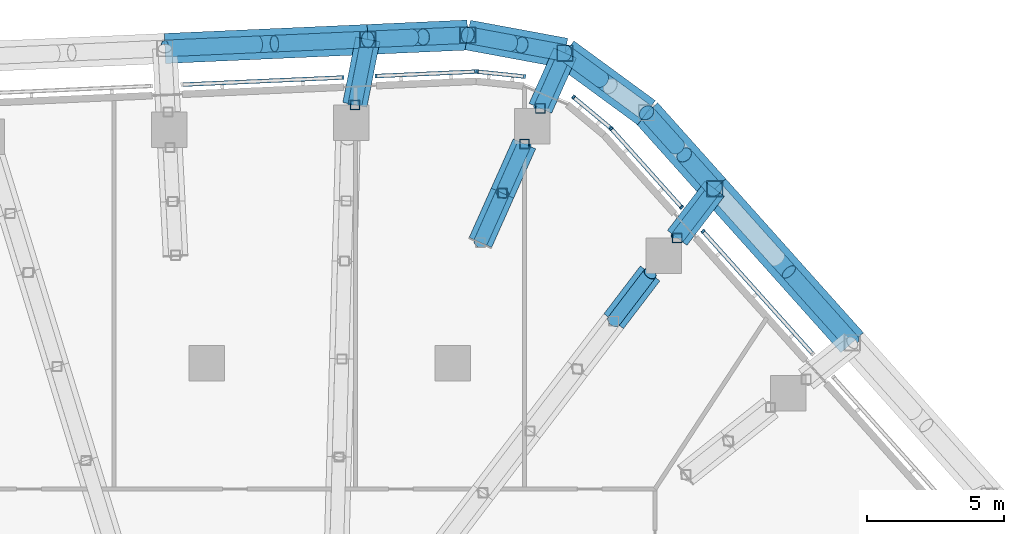
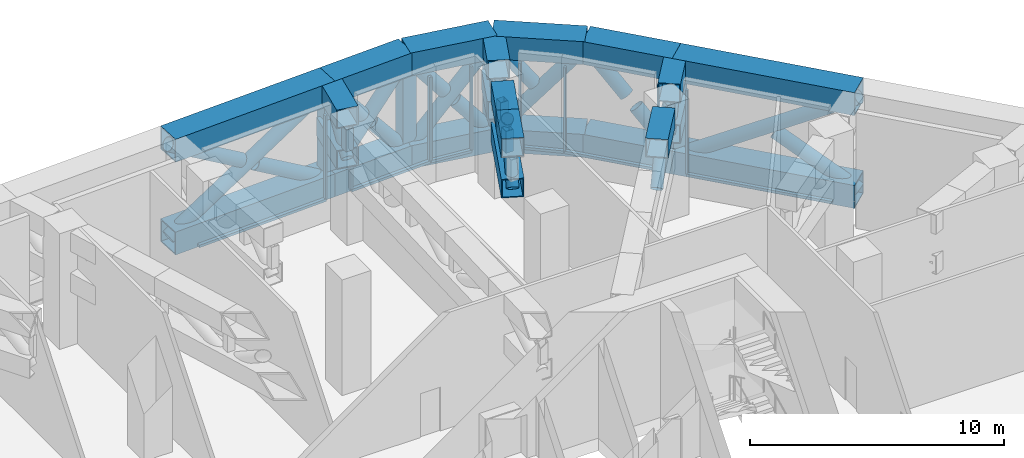
# One storey, part 13 of 30: 67 members, 3 elements without a shape of their own.
"""IFC4 building model written with IfcOpenShell, lengths in metres."""

from ifc_helpers import new_model, si_unit, direction, frame, origin, origin_2d, place, context, subcontext, project, spatial, rectangle, hollow_rectangle, hollow_circle, extrude, material, layer, layer_set, material_profile, profile_set, type_object, element, aggregate, save


model = new_model("IFC4")

# Units and contexts
model_context = context("Model", 3, precision=1e-05, world=origin(), true_north=direction((0.0, 1.0)))
body_context = subcontext(model_context, "Body", "Model", "MODEL_VIEW")
ifc_project = project(units=[si_unit("LENGTHUNIT", "METRE"), si_unit("AREAUNIT", "SQUARE_METRE"), si_unit("VOLUMEUNIT", "CUBIC_METRE"), si_unit("PLANEANGLEUNIT", "RADIAN"), si_unit("MASSUNIT", "GRAM", prefix="KILO")], contexts=[model_context])

# Site, building, storey
site_placement = place(None, origin())
site = spatial("IfcSite", under=ifc_project, at=site_placement, CompositionType="ELEMENT")
building_placement = place(site_placement, origin())
building = spatial("IfcBuilding", under=site, at=building_placement, Name="Dongbaek Canopy Tower", CompositionType="ELEMENT")
storey_placement = place(building_placement, frame((0.0, 0.0, 145.60009765625)))
storey = spatial("IfcBuildingStorey", under=building, at=storey_placement, Name="L32", CompositionType="ELEMENT", Elevation=145.60009765625)

# Members
ifc_material_1 = material(Name="Steel S355", Category="steel")
ifc_material_profile_1 = material_profile(ifc_material_1, hollow_circle(Radius=0.304931640625, WallThickness=0.01611328125, at=origin_2d()), Name="BELT BRACE CHS 610.0x16.0 Steel S355")
ifc_profile_set_1 = profile_set([ifc_material_profile_1], Name="Steel S355")
member_type_1 = type_object("IfcMemberType", Name="BELT BRACE CHS 610.0x16.0 Steel S355", PredefinedType="BRACE", material=ifc_profile_set_1)
member_1_placement = place(storey_placement, frame((-1.525390625, 29.512939453125, 0.5498046875), z_axis=(0.857020896199, 0.038058493746, 0.513874239997), x_axis=(-0.044364171853, 0.999015425434, 0.0)))
element("IfcMember", 1, at=member_1_placement, inside=storey, type_object=member_type_1, Name="BELT:L32:15:D0:0", PredefinedType="BRACE", context=body_context, shape_type="SweptSolid", body=[
    extrude(hollow_circle(Radius=0.304931640625, WallThickness=0.01611328125, at=origin_2d()), origin(), (0.0, 0.0, 1.0), 8.66015625),
])
for number, where, z_axis, x_axis, name in (
    (2, (5.896484375, 29.842529296875, 0.5498046875), (-0.857023211312, -0.03805315417, 0.51387077435), (0.044357840254, -0.999015706587, 0.0), "BELT:L32:15:D0:1"),
    (3, (-1.525390625, 29.512939453125, 5.0), (0.857023211312, 0.03805315417, -0.51387077435), (-0.044357840254, 0.999015706587, 0.0), "BELT:L32:15:D0:2"),
):
    element("IfcMember", number, at=place(storey_placement, frame(where, z_axis=z_axis, x_axis=x_axis)), inside=storey, type_object=member_type_1, Name=name, PredefinedType="BRACE", context=body_context, shape_type="SweptSolid", body=[
        extrude(hollow_circle(Radius=0.304931640625, WallThickness=0.01611328125, at=origin_2d()), origin(), (0.0, 0.0, 1.0), 3.984130859375),
    ])
member_2_placement = place(storey_placement, frame((5.896484375, 29.842529296875, 0.5498046875), z_axis=(0.634436715681, 0.028181178006, 0.772460921343), x_axis=(-0.044375454191, 0.999014924346, 0.0)))
element("IfcMember", 4, at=member_2_placement, inside=storey, type_object=member_type_1, Name="BELT:L32:16:D0:0", PredefinedType="BRACE", context=body_context, shape_type="SweptSolid", body=[
    extrude(hollow_circle(Radius=0.304931640625, WallThickness=0.01611328125, at=origin_2d()), origin(), (0.0, 0.0, 1.0), 5.760986328125),
])
member_3_placement = place(storey_placement, frame((9.551513671875, 30.0048828125, 0.5498046875), z_axis=(-0.634372879127, -0.028122565856, 0.772515483028), x_axis=(0.04428778929, -0.999018814497, 0.0)))
element("IfcMember", 5, at=member_3_placement, inside=storey, type_object=member_type_1, Name="BELT:L32:16:D0:1", PredefinedType="BRACE", context=body_context, shape_type="SweptSolid", body=[
    extrude(hollow_circle(Radius=0.304931640625, WallThickness=0.01611328125, at=origin_2d()), origin(), (0.0, 0.0, 1.0), 2.569580078125),
])
member_4_placement = place(storey_placement, frame((5.896484375, 29.842529296875, 5.0), z_axis=(0.634427950647, 0.028215798344, -0.772466856351), x_axis=(-0.044430474128, 0.999012478885, 0.0)))
element("IfcMember", 6, at=member_4_placement, inside=storey, type_object=member_type_1, Name="BELT:L32:16:D0:2", PredefinedType="BRACE", context=body_context, shape_type="SweptSolid", body=[
    extrude(hollow_circle(Radius=0.304931640625, WallThickness=0.01611328125, at=origin_2d()), origin(), (0.0, 0.0, 1.0), 2.56982421875),
])
member_5_placement = place(storey_placement, frame((9.551513671875, 30.0048828125, 0.5498046875), z_axis=(0.620407346683, -0.115041576325, 0.775796468089), x_axis=(0.182321130484, 0.983239037762, 0.0)))
element("IfcMember", 7, at=member_5_placement, inside=storey, type_object=member_type_1, Name="BELT:L32:16:D1:0", PredefinedType="BRACE", context=body_context, shape_type="SweptSolid", body=[
    extrude(hollow_circle(Radius=0.304931640625, WallThickness=0.01611328125, at=origin_2d()), origin(), (0.0, 0.0, 1.0), 5.736328125),
])
for number, where, z_axis, x_axis, name in (
    (8, (13.1103515625, 29.344970703125, 0.5498046875), (-0.620417406311, 0.115068950994, 0.775784363379), (-0.182360213446, -0.98323178984, 0.0), "BELT:L32:16:D1:1"),
    (9, (9.551513671875, 30.0048828125, 5.0), (0.620417406311, -0.115068950994, -0.775784363379), (0.182360213446, 0.98323178984, 0.0), "BELT:L32:16:D1:2"),
):
    element("IfcMember", number, at=place(storey_placement, frame(where, z_axis=z_axis, x_axis=x_axis)), inside=storey, type_object=member_type_1, Name=name, PredefinedType="BRACE", context=body_context, shape_type="SweptSolid", body=[
        extrude(hollow_circle(Radius=0.304931640625, WallThickness=0.01611328125, at=origin_2d()), origin(), (0.0, 0.0, 1.0), 2.556640625),
    ])
member_6_placement = place(storey_placement, frame((13.1103515625, 29.344970703125, 0.5498046875), z_axis=(0.515290656229, -0.377381704488, 0.769453435057), x_axis=(0.590856400859, 0.806776743321, 0.0)))
element("IfcMember", 10, at=member_6_placement, inside=storey, type_object=member_type_1, Name="BELT:L32:17:D0:0", PredefinedType="BRACE", context=body_context, shape_type="SweptSolid", body=[
    extrude(hollow_circle(Radius=0.304931640625, WallThickness=0.01611328125, at=origin_2d()), origin(), (0.0, 0.0, 1.0), 5.78369140625),
])
member_7_placement = place(storey_placement, frame((13.1103515625, 29.344970703125, 5.0), z_axis=(0.515258691217, -0.377364570109, -0.769483243711), x_axis=(0.590862796666, 0.806772059207, 0.0)))
element("IfcMember", 11, at=member_7_placement, inside=storey, type_object=member_type_1, Name="BELT:L32:17:D0:2", PredefinedType="BRACE", context=body_context, shape_type="SweptSolid", body=[
    extrude(hollow_circle(Radius=0.304931640625, WallThickness=0.01611328125, at=origin_2d()), origin(), (0.0, 0.0, 1.0), 2.581298828125),
])
for number, where, z_axis, x_axis, name in (
    (12, (18.58056640625, 24.37890625, 0.5498046875), (-0.428615283301, 0.479134687852, 0.76597577626), (-0.745306374709, -0.666722136889, 0.0), "BELT:L32:17:D1:1"),
    (13, (16.090576171875, 27.162353515625, 5.0), (0.428615283301, -0.479134687852, -0.76597577626), (0.745306374709, 0.666722136889, 0.0), "BELT:L32:17:D1:2"),
):
    element("IfcMember", number, at=place(storey_placement, frame(where, z_axis=z_axis, x_axis=x_axis)), inside=storey, type_object=member_type_1, Name=name, PredefinedType="BRACE", context=body_context, shape_type="SweptSolid", body=[
        extrude(hollow_circle(Radius=0.304931640625, WallThickness=0.01611328125, at=origin_2d()), origin(), (0.0, 0.0, 1.0), 2.59521484375),
    ])
member_8_placement = place(storey_placement, frame((18.58056640625, 24.37890625, 0.5498046875), z_axis=(0.574360264037, -0.642081177893, 0.507781496405), x_axis=(0.745318268841, 0.666708840599, 0.0)))
element("IfcMember", 14, at=member_8_placement, inside=storey, type_object=member_type_1, Name="BELT:L32:18:D0:0", PredefinedType="BRACE", context=body_context, shape_type="SweptSolid", body=[
    extrude(hollow_circle(Radius=0.304931640625, WallThickness=0.01611328125, at=origin_2d()), origin(), (0.0, 0.0, 1.0), 8.763916015625),
])
member_9_placement = place(storey_placement, frame((23.6142578125, 18.751708984375, 0.5498046875), z_axis=(-0.574379424123, 0.64205317227, 0.507795235427), x_axis=(-0.745292766348, -0.666737348909, 0.0)))
element("IfcMember", 15, at=member_9_placement, inside=storey, type_object=member_type_1, Name="BELT:L32:18:D0:1", PredefinedType="BRACE", context=body_context, shape_type="SweptSolid", body=[
    extrude(hollow_circle(Radius=0.304931640625, WallThickness=0.01611328125, at=origin_2d()), origin(), (0.0, 0.0, 1.0), 4.033203125),
])
ifc_material_2 = material(Name="Steel S355", Category="steel")
ifc_material_profile_2 = material_profile(ifc_material_2, hollow_rectangle(XDim=1.10009765625, YDim=1.10009765625, WallThickness=0.054931640625, at=origin_2d()), Name="BELT CHORD BOX 1100x1100x55 Steel S355")
ifc_profile_set_2 = profile_set([ifc_material_profile_2], Name="Steel S355")
member_type_2 = type_object("IfcMemberType", Name="BELT CHORD BOX 1100x1100x55 Steel S355", PredefinedType="CHORD", material=ifc_profile_set_2)
for number, where, z_axis, x_axis, name in (
    (16, (-1.525390625, 29.512939453125, 0.5498046875), (0.999015425434, 0.044364171853, 0.0), (-0.044364171853, 0.999015425434, 0.0), "BELT:L32:15:CB0"),
    (17, (-1.525390625, 29.512939453125, 5.0), (0.999015425434, 0.044364171853, 0.0), (-0.044364171853, 0.999015425434, 0.0), "BELT:L32:15:CT0"),
):
    element("IfcMember", number, at=place(storey_placement, frame(where, z_axis=z_axis, x_axis=x_axis)), inside=storey, type_object=member_type_2, Name=name, PredefinedType="CHORD", context=body_context, shape_type="SweptSolid", body=[
        extrude(hollow_rectangle(XDim=1.10009765625, YDim=1.10009765625, WallThickness=0.054931640625, at=origin_2d()), origin(), (0.0, 0.0, 1.0), 7.42919921875),
    ])
for number, where, z_axis, x_axis, name in (
    (18, (5.896484375, 29.842529296875, 0.5498046875), (0.999014924346, 0.044375454191, 0.0), (-0.044375454191, 0.999014924346, 0.0), "BELT:L32:16:CB0"),
    (19, (5.896484375, 29.842529296875, 5.0), (0.999014924346, 0.044375454191, 0.0), (-0.044375454191, 0.999014924346, 0.0), "BELT:L32:16:CT0"),
):
    element("IfcMember", number, at=place(storey_placement, frame(where, z_axis=z_axis, x_axis=x_axis)), inside=storey, type_object=member_type_2, Name=name, PredefinedType="CHORD", context=body_context, shape_type="SweptSolid", body=[
        extrude(hollow_rectangle(XDim=1.10009765625, YDim=1.10009765625, WallThickness=0.054931640625, at=origin_2d()), origin(), (0.0, 0.0, 1.0), 3.65869140625),
    ])
for number, where, z_axis, x_axis, name in (
    (20, (9.551513671875, 30.0048828125, 0.5498046875), (0.983239037762, -0.182321130484, 0.0), (0.182321130484, 0.983239037762, 0.0), "BELT:L32:16:CB1"),
    (21, (9.551513671875, 30.0048828125, 5.0), (0.983239037762, -0.182321130484, 0.0), (0.182321130484, 0.983239037762, 0.0), "BELT:L32:16:CT1"),
):
    element("IfcMember", number, at=place(storey_placement, frame(where, z_axis=z_axis, x_axis=x_axis)), inside=storey, type_object=member_type_2, Name=name, PredefinedType="CHORD", context=body_context, shape_type="SweptSolid", body=[
        extrude(hollow_rectangle(XDim=1.10009765625, YDim=1.10009765625, WallThickness=0.054931640625, at=origin_2d()), origin(), (0.0, 0.0, 1.0), 3.619384765625),
    ])
for number, where, z_axis, x_axis, name in (
    (22, (13.1103515625, 29.344970703125, 0.5498046875), (0.806776743321, -0.590856400859, 0.0), (0.590856400859, 0.806776743321, 0.0), "BELT:L32:17:CB0"),
    (23, (13.1103515625, 29.344970703125, 5.0), (0.806776743321, -0.590856400859, 0.0), (0.590856400859, 0.806776743321, 0.0), "BELT:L32:17:CT0"),
):
    element("IfcMember", number, at=place(storey_placement, frame(where, z_axis=z_axis, x_axis=x_axis)), inside=storey, type_object=member_type_2, Name=name, PredefinedType="CHORD", context=body_context, shape_type="SweptSolid", body=[
        extrude(hollow_rectangle(XDim=1.10009765625, YDim=1.10009765625, WallThickness=0.054931640625, at=origin_2d()), origin(), (0.0, 0.0, 1.0), 3.694091796875),
    ])
for number, where, z_axis, x_axis, name in (
    (24, (16.090576171875, 27.162353515625, 0.5498046875), (0.666726065476, -0.745302860329, 0.0), (0.745302860329, 0.666726065476, 0.0), "BELT:L32:17:CB1"),
    (25, (16.090576171875, 27.162353515625, 5.0), (0.666726065476, -0.745302860329, 0.0), (0.745302860329, 0.666726065476, 0.0), "BELT:L32:17:CT1"),
):
    element("IfcMember", number, at=place(storey_placement, frame(where, z_axis=z_axis, x_axis=x_axis)), inside=storey, type_object=member_type_2, Name=name, PredefinedType="CHORD", context=body_context, shape_type="SweptSolid", body=[
        extrude(hollow_rectangle(XDim=1.10009765625, YDim=1.10009765625, WallThickness=0.054931640625, at=origin_2d()), origin(), (0.0, 0.0, 1.0), 3.734619140625),
    ])
for number, where, z_axis, x_axis, name in (
    (26, (18.58056640625, 24.37890625, 0.5498046875), (0.666708840599, -0.745318268841, 0.0), (0.745318268841, 0.666708840599, 0.0), "BELT:L32:18:CB0"),
    (27, (18.58056640625, 24.37890625, 5.0), (0.666708840599, -0.745318268841, 0.0), (0.745318268841, 0.666708840599, 0.0), "BELT:L32:18:CT0"),
):
    element("IfcMember", number, at=place(storey_placement, frame(where, z_axis=z_axis, x_axis=x_axis)), inside=storey, type_object=member_type_2, Name=name, PredefinedType="CHORD", context=body_context, shape_type="SweptSolid", body=[
        extrude(hollow_rectangle(XDim=1.10009765625, YDim=1.10009765625, WallThickness=0.054931640625, at=origin_2d()), origin(), (0.0, 0.0, 1.0), 7.550048828125),
    ])
ifc_material_3 = material(Name="Steel S355", Category="steel")
ifc_material_profile_3 = material_profile(ifc_material_3, hollow_rectangle(XDim=0.60009765625, YDim=0.60009765625, WallThickness=0.031982421875, at=origin_2d()), Name="BELT POST BOX 600x600x32 Steel S355")
ifc_profile_set_3 = profile_set([ifc_material_profile_3], Name="Steel S355")
member_type_3 = type_object("IfcMemberType", Name="BELT POST BOX 600x600x32 Steel S355", PredefinedType="POST", material=ifc_profile_set_3)
for number, where, z_axis, x_axis, name in (
    (28, (5.896484375, 29.842529296875, 1.099853515625), (0.0, 0.0, 1.0), (1.0, 0.0, 0.0), "BELT:L32:16:P0"),
    (29, (9.551513671875, 30.0048828125, 1.099853515625), (0.0, 0.0, 1.0), (1.0, 0.0, 0.0), "BELT:L32:16:P1"),
    (30, (13.1103515625, 29.344970703125, 1.099853515625), (0.0, 0.0, 1.0), (1.0, 0.0, 0.0), "BELT:L32:17:P0"),
    (31, (18.58056640625, 24.37890625, 1.099853515625), (0.0, 0.0, 1.0), (1.0, 0.0, 0.0), "BELT:L32:18:P0"),
):
    element("IfcMember", number, at=place(storey_placement, frame(where, z_axis=z_axis, x_axis=x_axis)), inside=storey, type_object=member_type_3, Name=name, PredefinedType="POST", context=body_context, shape_type="SweptSolid", body=[
        extrude(hollow_rectangle(XDim=0.60009765625, YDim=0.60009765625, WallThickness=0.031982421875, at=origin_2d()), origin(), (0.0, 0.0, 1.0), 3.35009765625),
    ])
ifc_material_4 = material(Name="Steel S355", Category="steel")
ifc_material_profile_4 = material_profile(ifc_material_4, hollow_circle(Radius=0.25390625, WallThickness=0.01611328125, at=origin_2d()), Name="BRACE CHS 508.0x16.0 Steel S355")
ifc_profile_set_4 = profile_set([ifc_material_profile_4], Name="Steel S355")
member_type_4 = type_object("IfcMemberType", Name="BRACE CHS 508.0x16.0 Steel S355", PredefinedType="BRACE", material=ifc_profile_set_4)
for number, where, z_axis, x_axis, name in (
    (32, (10.015380859375, 22.41748046875, 3.14990234375), (0.29028432765, 0.649709104249, 0.702576037861), (-0.913014588027, 0.407926907729, 0.0), "TRUSS:L32:17:D0"),
    (33, (10.821044921875, 24.220703125, 5.099853515625), (0.29028432765, 0.649709104249, -0.702576037861), (-0.913014588027, 0.407926907729, 0.0), "TRUSS:L32:17:D1"),
):
    element("IfcMember", number, at=place(storey_placement, frame(where, z_axis=z_axis, x_axis=x_axis)), inside=storey, type_object=member_type_4, Name=name, PredefinedType="BRACE", context=body_context, shape_type="SweptSolid", body=[
        extrude(hollow_circle(Radius=0.25390625, WallThickness=0.01611328125, at=origin_2d()), origin(), (0.0, 0.0, 1.0), 2.775390625),
    ])
member_10_placement = place(storey_placement, frame((5.42333984375, 27.447998046875, 3.14990234375), z_axis=(0.151450221225, 0.766472533424, 0.624165591808), x_axis=(-0.98103200226, 0.193845842208, 0.0)))
element("IfcMember", 34, at=member_10_placement, inside=storey, type_object=member_type_4, Name="TRUSS:L32:16x:D0", PredefinedType="BRACE", context=body_context, shape_type="SweptSolid", body=[
    extrude(hollow_circle(Radius=0.25390625, WallThickness=0.01611328125, at=origin_2d()), origin(), (0.0, 0.0, 1.0), 3.1240234375),
])
member_11_placement = place(storey_placement, frame((12.20751953125, 27.323974609375, 3.14990234375), z_axis=(0.306056354181, 0.685109383426, 0.661025446415), x_axis=(-0.913036678066, 0.40787746261, 0.0)))
element("IfcMember", 35, at=member_11_placement, inside=storey, type_object=member_type_4, Name="TRUSS:L32:17x:D0", PredefinedType="BRACE", context=body_context, shape_type="SweptSolid", body=[
    extrude(hollow_circle(Radius=0.25390625, WallThickness=0.01611328125, at=origin_2d()), origin(), (0.0, 0.0, 1.0), 2.949951171875),
])
member_12_placement = place(storey_placement, frame((17.21337890625, 22.5849609375, 3.14990234375), z_axis=(0.458546391662, 0.601678372488, 0.654001791108), x_axis=(-0.79535220213, 0.606147568308, 0.0)))
element("IfcMember", 36, at=member_12_placement, inside=storey, type_object=member_type_4, Name="TRUSS:L32:18x:D0", PredefinedType="BRACE", context=body_context, shape_type="SweptSolid", body=[
    extrude(hollow_circle(Radius=0.25390625, WallThickness=0.01611328125, at=origin_2d()), origin(), (0.0, 0.0, 1.0), 2.981689453125),
])
ifc_material_5 = material(Name="Steel S355", Category="steel")
ifc_material_profile_5 = material_profile(ifc_material_5, hollow_rectangle(XDim=0.89990234375, YDim=0.89990234375, WallThickness=0.044921875, at=origin_2d()), Name="CHORD BOX 900x900x45 Steel S355")
ifc_profile_set_5 = profile_set([ifc_material_profile_5], Name="Steel S355")
member_type_5 = type_object("IfcMemberType", Name="CHORD BOX 900x900x45 Steel S355", PredefinedType="CHORD", material=ifc_profile_set_5)
member_13_placement = place(storey_placement, frame((10.015380859375, 22.41748046875, 3.14990234375), z_axis=(0.407926907729, 0.913014588027, 0.0), x_axis=(-0.913014588027, 0.407926907729, 0.0)))
element("IfcMember", 37, at=member_13_placement, inside=storey, type_object=member_type_5, Name="TRUSS:L32:17:CB", PredefinedType="CHORD", context=body_context, shape_type="SweptSolid", body=[
    extrude(hollow_rectangle(XDim=0.89990234375, YDim=0.89990234375, WallThickness=0.044921875, at=origin_2d()), origin(), (0.0, 0.0, 1.0), 3.949951171875),
])
for number, where, z_axis, x_axis, name in (
    (38, (10.015380859375, 22.41748046875, 5.099853515625), (0.407926907729, 0.913014588027, 0.0), (-0.913014588027, 0.407926907729, 0.0), "TRUSS:L32:17:CT0"),
    (39, (10.821044921875, 24.220703125, 5.099853515625), (0.407926907729, 0.913014588027, 0.0), (-0.913014588027, 0.407926907729, 0.0), "TRUSS:L32:17:CT1"),
):
    element("IfcMember", number, at=place(storey_placement, frame(where, z_axis=z_axis, x_axis=x_axis)), inside=storey, type_object=member_type_5, Name=name, PredefinedType="CHORD", context=body_context, shape_type="SweptSolid", body=[
        extrude(hollow_rectangle(XDim=0.89990234375, YDim=0.89990234375, WallThickness=0.044921875, at=origin_2d()), origin(), (0.0, 0.0, 1.0), 1.97509765625),
    ])
for number, where, z_axis, x_axis, name in (
    (40, (5.42333984375, 27.447998046875, 3.14990234375), (0.193845842208, 0.98103200226, 0.0), (-0.98103200226, 0.193845842208, 0.0), "TRUSS:L32:16x:CB"),
    (41, (5.42333984375, 27.447998046875, 5.099853515625), (0.193845842208, 0.98103200226, 0.0), (-0.98103200226, 0.193845842208, 0.0), "TRUSS:L32:16x:CT0"),
):
    element("IfcMember", number, at=place(storey_placement, frame(where, z_axis=z_axis, x_axis=x_axis)), inside=storey, type_object=member_type_5, Name=name, PredefinedType="CHORD", context=body_context, shape_type="SweptSolid", body=[
        extrude(hollow_rectangle(XDim=0.89990234375, YDim=0.89990234375, WallThickness=0.044921875, at=origin_2d()), origin(), (0.0, 0.0, 1.0), 2.44091796875),
    ])
for number, where, z_axis, x_axis, name in (
    (42, (12.20751953125, 27.323974609375, 3.14990234375), (0.40787746261, 0.913036678066, 0.0), (-0.913036678066, 0.40787746261, 0.0), "TRUSS:L32:17x:CB"),
    (43, (12.20751953125, 27.323974609375, 5.099853515625), (0.40787746261, 0.913036678066, 0.0), (-0.913036678066, 0.40787746261, 0.0), "TRUSS:L32:17x:CT0"),
):
    element("IfcMember", number, at=place(storey_placement, frame(where, z_axis=z_axis, x_axis=x_axis)), inside=storey, type_object=member_type_5, Name=name, PredefinedType="CHORD", context=body_context, shape_type="SweptSolid", body=[
        extrude(hollow_rectangle(XDim=0.89990234375, YDim=0.89990234375, WallThickness=0.044921875, at=origin_2d()), origin(), (0.0, 0.0, 1.0), 2.21337890625),
    ])
for number, where, z_axis, x_axis, name in (
    (44, (17.21337890625, 22.5849609375, 3.14990234375), (0.606147568308, 0.79535220213, 0.0), (-0.79535220213, 0.606147568308, 0.0), "TRUSS:L32:18x:CB"),
    (45, (17.21337890625, 22.5849609375, 5.099853515625), (0.606147568308, 0.79535220213, 0.0), (-0.79535220213, 0.606147568308, 0.0), "TRUSS:L32:18x:CT0"),
):
    element("IfcMember", number, at=place(storey_placement, frame(where, z_axis=z_axis, x_axis=x_axis)), inside=storey, type_object=member_type_5, Name=name, PredefinedType="CHORD", context=body_context, shape_type="SweptSolid", body=[
        extrude(hollow_rectangle(XDim=0.89990234375, YDim=0.89990234375, WallThickness=0.044921875, at=origin_2d()), origin(), (0.0, 0.0, 1.0), 2.255615234375),
    ])

# Curtain wall, members
ifc_material_6 = material(Name="Aluminium 6063-T6 pale anodised", Category="aluminium")
ifc_layer = layer(ifc_material_6, 0.14990234375)
ifc_layer_set = layer_set([ifc_layer], Name="CW-7 louvre curtain wall")
curtain_wall_type = type_object("IfcCurtainWallType", Name="CW-7 louvre curtain wall", PredefinedType="NOTDEFINED", material=ifc_layer_set)
curtain_wall_1_placement = place(storey_placement, origin())
curtain_wall_1 = element("IfcCurtainWall", 46, at=curtain_wall_1_placement, inside=storey, type_object=curtain_wall_type, Name="CW-7 louvre wall L32 F0", PredefinedType="NOTDEFINED")
ifc_material_7 = material(Name="Aluminium 6063-T6 pale anodised", Category="aluminium")
ifc_material_profile_6 = material_profile(ifc_material_7, rectangle(XDim=0.14990234375, YDim=0.080078125, at=origin_2d()), Name="CW-7 mullion 80 x 150")
ifc_profile_set_6 = profile_set([ifc_material_profile_6], Name="Aluminium 6063-T6 pale anodised")
member_type_6 = type_object("IfcMemberType", Name="CW-7 mullion 80 x 150", PredefinedType="MULLION", material=ifc_profile_set_6)
member_14_placement = place(storey_placement, frame((18.15869140625, 22.82568359375, 0.77490234375), z_axis=(0.0, 0.0, 1.0), x_axis=(0.745311806373, 0.666716064964, 0.0)))
member_14 = element("IfcMember", 47, at=member_14_placement, type_object=member_type_6, Name="CW-7 mullion L32 F0.3.2", PredefinedType="MULLION", context=body_context, shape_type="SweptSolid", body=[
    extrude(rectangle(XDim=0.14990234375, YDim=0.080078125, at=origin_2d()), origin(), (0.0, 0.0, 1.0), 4.0),
])
member_15_placement = place(storey_placement, frame((17.370849609375, 23.706298828125, 0.77490234375), z_axis=(0.0, 0.0, 1.0), x_axis=(0.745311806373, 0.666716064964, 0.0)))
member_15 = element("IfcMember", 48, at=member_15_placement, type_object=member_type_6, Name="CW-7 mullion L32 F0.4.1", PredefinedType="MULLION", context=body_context, shape_type="SweptSolid", body=[
    extrude(rectangle(XDim=0.14990234375, YDim=0.080078125, at=origin_2d()), origin(), (0.0, 0.0, 1.0), 4.0),
])
member_16_placement = place(storey_placement, frame((14.796142578125, 26.584716796875, 0.77490234375), z_axis=(0.0, 0.0, 1.0), x_axis=(0.745311806373, 0.666716064964, 0.0)))
member_16 = element("IfcMember", 49, at=member_16_placement, type_object=member_type_6, Name="CW-7 mullion L32 F0.4.2", PredefinedType="MULLION", context=body_context, shape_type="SweptSolid", body=[
    extrude(rectangle(XDim=0.14990234375, YDim=0.080078125, at=origin_2d()), origin(), (0.0, 0.0, 1.0), 4.0),
])

curtain_wall_2_placement = place(storey_placement, origin())
curtain_wall_2 = element("IfcCurtainWall", 50, at=curtain_wall_2_placement, inside=storey, type_object=curtain_wall_type, Name="CW-7 louvre wall L32 K1", PredefinedType="NOTDEFINED")
member_17_placement = place(storey_placement, frame((13.419189453125, 27.73388671875, 0.77490234375), z_axis=(0.0, 0.0, 1.0), x_axis=(0.639186180176, 0.769052031446, 0.0)))
member_17 = element("IfcMember", 51, at=member_17_placement, type_object=member_type_6, Name="CW-7 mullion L32 K1.1.2", PredefinedType="MULLION", context=body_context, shape_type="SweptSolid", body=[
    extrude(rectangle(XDim=0.14990234375, YDim=0.080078125, at=origin_2d()), origin(), (0.0, 0.0, 1.0), 4.0),
])
member_18_placement = place(storey_placement, frame((11.632568359375, 28.48583984375, 0.77490234375), z_axis=(0.0, 0.0, 1.0), x_axis=(0.103005339972, 0.99468080304, 0.0)))
member_18 = element("IfcMember", 52, at=member_18_placement, type_object=member_type_6, Name="CW-7 mullion L32 K1.2.1", PredefinedType="MULLION", context=body_context, shape_type="SweptSolid", body=[
    extrude(rectangle(XDim=0.14990234375, YDim=0.080078125, at=origin_2d()), origin(), (0.0, 0.0, 1.0), 4.0),
])
member_19_placement = place(storey_placement, frame((9.89990234375, 28.665283203125, 0.77490234375), z_axis=(0.0, 0.0, 1.0), x_axis=(0.103005339972, 0.99468080304, 0.0)))
member_19 = element("IfcMember", 53, at=member_19_placement, type_object=member_type_6, Name="CW-7 mullion L32 K1.2.2", PredefinedType="MULLION", context=body_context, shape_type="SweptSolid", body=[
    extrude(rectangle(XDim=0.14990234375, YDim=0.080078125, at=origin_2d()), origin(), (0.0, 0.0, 1.0), 4.0),
])

curtain_wall_3_placement = place(storey_placement, origin())
curtain_wall_3 = element("IfcCurtainWall", 54, at=curtain_wall_3_placement, inside=storey, type_object=curtain_wall_type, Name="CW-7 louvre wall L32 F1", PredefinedType="NOTDEFINED")
member_20_placement = place(storey_placement, frame((9.848388671875, 28.666748046875, 0.77490234375), z_axis=(0.0, 0.0, 1.0), x_axis=(-0.044359879696, 0.999015616031, 0.0)))
member_20 = element("IfcMember", 55, at=member_20_placement, type_object=member_type_6, Name="CW-7 mullion L32 F1.1.1", PredefinedType="MULLION", context=body_context, shape_type="SweptSolid", body=[
    extrude(rectangle(XDim=0.14990234375, YDim=0.080078125, at=origin_2d()), origin(), (0.0, 0.0, 1.0), 4.0),
])
member_21_placement = place(storey_placement, frame((6.19482421875, 28.50439453125, 0.77490234375), z_axis=(0.0, 0.0, 1.0), x_axis=(-0.044359879696, 0.999015616031, 0.0)))
member_21 = element("IfcMember", 56, at=member_21_placement, type_object=member_type_6, Name="CW-7 mullion L32 F1.1.2", PredefinedType="MULLION", context=body_context, shape_type="SweptSolid", body=[
    extrude(rectangle(XDim=0.14990234375, YDim=0.080078125, at=origin_2d()), origin(), (0.0, 0.0, 1.0), 4.0),
])
member_22_placement = place(storey_placement, frame((4.9921875, 28.451171875, 0.77490234375), z_axis=(0.0, 0.0, 1.0), x_axis=(-0.044359879696, 0.999015616031, 0.0)))
member_22 = element("IfcMember", 57, at=member_22_placement, type_object=member_type_6, Name="CW-7 mullion L32 F1.2.1", PredefinedType="MULLION", context=body_context, shape_type="SweptSolid", body=[
    extrude(rectangle(XDim=0.14990234375, YDim=0.080078125, at=origin_2d()), origin(), (0.0, 0.0, 1.0), 4.0),
])

# Member
ifc_material_8 = material(Name="Aluminium 6063-T6 pale anodised", Category="aluminium")
ifc_material_profile_7 = material_profile(ifc_material_8, rectangle(XDim=0.14990234375, YDim=0.1201171875, at=origin_2d()), Name="CW-7 transom 120 x 150")
ifc_profile_set_7 = profile_set([ifc_material_profile_7], Name="Aluminium 6063-T6 pale anodised")
member_type_7 = type_object("IfcMemberType", Name="CW-7 transom 120 x 150", PredefinedType="USERDEFINED", material=ifc_profile_set_7)
member_23_placement = place(storey_placement, frame((22.1748046875, 18.3359375, 0.71484375), z_axis=(-0.66670007885, 0.745326106386, 0.0), x_axis=(-0.745326106386, -0.66670007885, 0.0)))
member_23 = element("IfcMember", 58, at=member_23_placement, type_object=member_type_7, Name="CW-7 transom L32 F0.3", ObjectType="TRANSOM", PredefinedType="USERDEFINED", context=body_context, shape_type="SweptSolid", body=[
    extrude(rectangle(XDim=0.14990234375, YDim=0.1201171875, at=origin_2d()), origin(), (0.0, 0.0, 1.0), 6.02392578125),
])

member_24_placement = place(storey_placement, frame((17.370849609375, 23.706298828125, 0.71484375), z_axis=(-0.666691370916, 0.74533389561, 0.0), x_axis=(-0.74533389561, -0.666691370916, 0.0)))
member_24 = element("IfcMember", 59, at=member_24_placement, type_object=member_type_7, Name="CW-7 transom L32 F0.4", ObjectType="TRANSOM", PredefinedType="USERDEFINED", context=body_context, shape_type="SweptSolid", body=[
    extrude(rectangle(XDim=0.14990234375, YDim=0.1201171875, at=origin_2d()), origin(), (0.0, 0.0, 1.0), 3.86181640625),
])

aggregate(curtain_wall_1, [member_23, member_14, member_24, member_15, member_16])

member_25_placement = place(storey_placement, frame((14.7587890625, 26.620361328125, 0.71484375), z_axis=(-0.769013352982, 0.639232714225, 0.0), x_axis=(-0.639232714225, -0.769013352982, 0.0)))
member_25 = element("IfcMember", 60, at=member_25_placement, type_object=member_type_7, Name="CW-7 transom L32 K1.1", ObjectType="TRANSOM", PredefinedType="USERDEFINED", context=body_context, shape_type="SweptSolid", body=[
    extrude(rectangle(XDim=0.14990234375, YDim=0.1201171875, at=origin_2d()), origin(), (0.0, 0.0, 1.0), 1.741943359375),
])

member_26_placement = place(storey_placement, frame((11.632568359375, 28.48583984375, 0.71484375), z_axis=(-0.994679915255, 0.103013912599, 0.0), x_axis=(-0.103013912599, -0.994679915255, 0.0)))
member_26 = element("IfcMember", 61, at=member_26_placement, type_object=member_type_7, Name="CW-7 transom L32 K1.2", ObjectType="TRANSOM", PredefinedType="USERDEFINED", context=body_context, shape_type="SweptSolid", body=[
    extrude(rectangle(XDim=0.14990234375, YDim=0.1201171875, at=origin_2d()), origin(), (0.0, 0.0, 1.0), 1.741943359375),
])

aggregate(curtain_wall_2, [member_25, member_17, member_26, member_18, member_19])

member_27_placement = place(storey_placement, frame((9.848388671875, 28.666748046875, 0.71484375), z_axis=(-0.999014135452, -0.04439321083, 0.0), x_axis=(0.04439321083, -0.999014135452, 0.0)))
member_27 = element("IfcMember", 62, at=member_27_placement, type_object=member_type_7, Name="CW-7 transom L32 F1.1", ObjectType="TRANSOM", PredefinedType="USERDEFINED", context=body_context, shape_type="SweptSolid", body=[
    extrude(rectangle(XDim=0.14990234375, YDim=0.1201171875, at=origin_2d()), origin(), (0.0, 0.0, 1.0), 3.6572265625),
])

member_28_placement = place(storey_placement, frame((4.9921875, 28.451171875, 0.71484375), z_axis=(-0.999014499505, -0.044385017513, 0.0), x_axis=(0.044385017513, -0.999014499505, 0.0)))
member_28 = element("IfcMember", 63, at=member_28_placement, type_object=member_type_7, Name="CW-7 transom L32 F1.2", ObjectType="TRANSOM", PredefinedType="USERDEFINED", context=body_context, shape_type="SweptSolid", body=[
    extrude(rectangle(XDim=0.14990234375, YDim=0.1201171875, at=origin_2d()), origin(), (0.0, 0.0, 1.0), 5.902099609375),
])

aggregate(curtain_wall_3, [member_27, member_20, member_21, member_28, member_22])

# Members
ifc_material_9 = material(Name="Steel S355", Category="steel")
ifc_material_profile_8 = material_profile(ifc_material_9, hollow_circle(Radius=0.25390625, WallThickness=0.01611328125, at=origin_2d()), Name="OUTRIGGER BRACE CHS 508.0x16.0 Steel S355")
ifc_profile_set_8 = profile_set([ifc_material_profile_8], Name="Steel S355")
member_type_8 = type_object("IfcMemberType", Name="OUTRIGGER BRACE CHS 508.0x16.0 Steel S355", PredefinedType="BRACE", material=ifc_profile_set_8)
member_29_placement = place(storey_placement, frame((14.891357421875, 19.538330078125, 3.14990234375), z_axis=(0.453305080604, 0.594708334246, 0.663955195083), x_axis=(-0.795306657342, 0.606207324921, 0.0)))
element("IfcMember", 64, at=member_29_placement, inside=storey, type_object=member_type_8, Name="TRUSS:L32:18:D4", PredefinedType="BRACE", context=body_context, shape_type="SweptSolid", body=[
    extrude(hollow_circle(Radius=0.25390625, WallThickness=0.01611328125, at=origin_2d()), origin(), (0.0, 0.0, 1.0), 2.936767578125),
])
ifc_material_10 = material(Name="Steel S355", Category="steel")
ifc_material_profile_9 = material_profile(ifc_material_10, hollow_rectangle(XDim=0.89990234375, YDim=0.89990234375, WallThickness=0.044921875, at=origin_2d()), Name="OUTRIGGER CHORD BOX 900x900x45 Steel S355")
ifc_profile_set_9 = profile_set([ifc_material_profile_9], Name="Steel S355")
member_type_9 = type_object("IfcMemberType", Name="OUTRIGGER CHORD BOX 900x900x45 Steel S355", PredefinedType="CHORD", material=ifc_profile_set_9)
member_30_placement = place(storey_placement, frame((14.891357421875, 19.538330078125, 5.099853515625), z_axis=(0.606207324921, 0.795306657342, 0.0), x_axis=(-0.795306657342, 0.606207324921, 0.0)))
element("IfcMember", 65, at=member_30_placement, inside=storey, type_object=member_type_9, Name="TRUSS:L32:18:CT4", PredefinedType="CHORD", context=body_context, shape_type="SweptSolid", body=[
    extrude(hollow_rectangle(XDim=0.89990234375, YDim=0.89990234375, WallThickness=0.044921875, at=origin_2d()), origin(), (0.0, 0.0, 1.0), 2.196044921875),
])
ifc_material_11 = material(Name="Steel S355", Category="steel")
ifc_material_profile_10 = material_profile(ifc_material_11, hollow_rectangle(XDim=0.35009765625, YDim=0.35009765625, WallThickness=0.01611328125, at=origin_2d()), Name="POST SHS 350x350x16 Steel S355")
ifc_profile_set_10 = profile_set([ifc_material_profile_10], Name="Steel S355")
member_type_10 = type_object("IfcMemberType", Name="POST SHS 350x350x16 Steel S355", PredefinedType="POST", material=ifc_profile_set_10)
for number, where, z_axis, x_axis, name in (
    (66, (10.821044921875, 24.220703125, 3.599853515625), (0.0, 0.0, 1.0), (1.0, 0.0, 0.0), "TRUSS:L32:17:P1"),
    (67, (11.626708984375, 26.02392578125, 3.599853515625), (0.0, 0.0, 1.0), (1.0, 0.0, 0.0), "TRUSS:L32:17:P2"),
    (68, (5.42333984375, 27.447998046875, 3.599853515625), (0.0, 0.0, 1.0), (1.0, 0.0, 0.0), "TRUSS:L32:16x:P0"),
    (69, (12.20751953125, 27.323974609375, 3.599853515625), (0.0, 0.0, 1.0), (1.0, 0.0, 0.0), "TRUSS:L32:17x:P0"),
    (70, (17.21337890625, 22.5849609375, 3.599853515625), (0.0, 0.0, 1.0), (1.0, 0.0, 0.0), "TRUSS:L32:18x:P0"),
):
    element("IfcMember", number, at=place(storey_placement, frame(where, z_axis=z_axis, x_axis=x_axis)), inside=storey, type_object=member_type_10, Name=name, PredefinedType="POST", context=body_context, shape_type="SweptSolid", body=[
        extrude(hollow_rectangle(XDim=0.35009765625, YDim=0.35009765625, WallThickness=0.01611328125, at=origin_2d()), origin(), (0.0, 0.0, 1.0), 1.050048828125),
    ])

save(model, "model.ifc")
